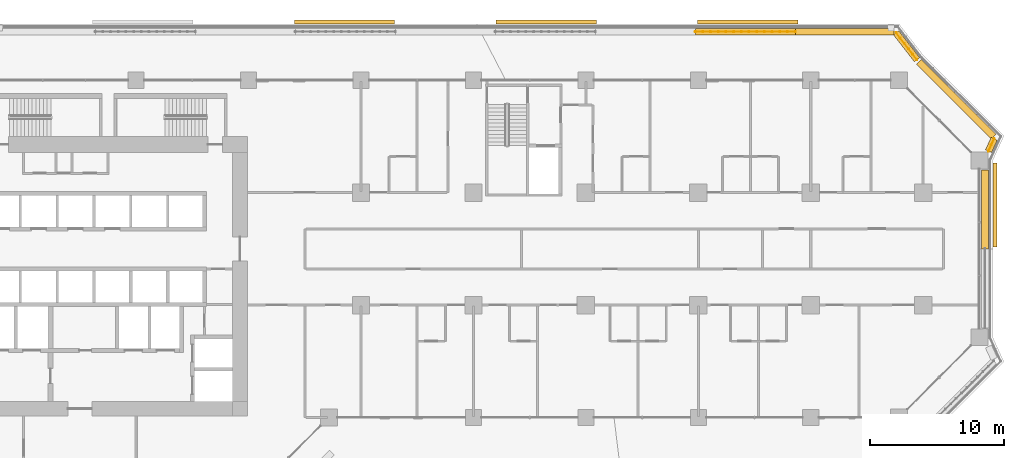
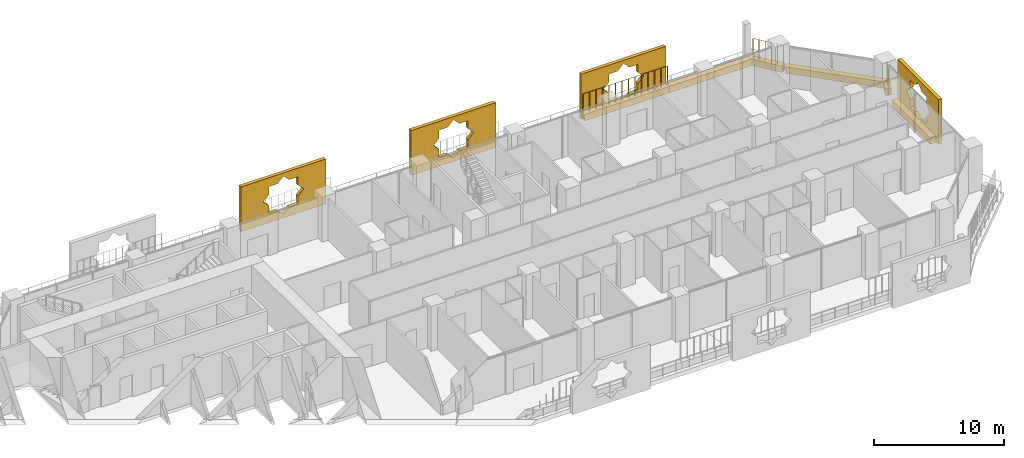
# One storey, part 28 of 28: 10 coverings, 3 railings.
"""IFC4 building model written with IfcOpenShell, lengths in metres."""

from ifc_helpers import new_model, si_unit, direction, frame, origin, origin_2d, place, context, subcontext, project, spatial, polyline, rectangle, circle, outline, extrude, material, material_profile, profile_set, type_object, element, save


model = new_model("IFC4")

# Units and contexts
model_context = context("Model", 3, precision=1e-05, world=origin(), true_north=direction((0.0, 1.0)))
body_context = subcontext(model_context, "Body", "Model", "MODEL_VIEW")
ifc_project = project(units=[si_unit("LENGTHUNIT", "METRE"), si_unit("AREAUNIT", "SQUARE_METRE"), si_unit("VOLUMEUNIT", "CUBIC_METRE"), si_unit("PLANEANGLEUNIT", "RADIAN"), si_unit("MASSUNIT", "GRAM", prefix="KILO")], contexts=[model_context])

# Site, building, storey
site_placement = place(None, origin())
site = spatial("IfcSite", under=ifc_project, at=site_placement, CompositionType="ELEMENT")
building_placement = place(site_placement, origin())
building = spatial("IfcBuilding", under=site, at=building_placement, Name="Kawkab Arch Medical Tower", CompositionType="ELEMENT")
storey_placement = place(building_placement, frame((0.0, 0.0, 77.0)))
storey = spatial("IfcBuildingStorey", under=building, at=storey_placement, Name="L17", CompositionType="ELEMENT", Elevation=77.0)

# Coverings
ifc_material_1 = material(Name="Bronze anodised aluminium mashrabiya panel, eight-point star pattern", Category="aluminium")
ifc_material_profile_1 = material_profile(ifc_material_1, outline(polyline([(-3.14990234375, -2.10009765625), (3.14990234375, -2.10009765625), (3.14990234375, 2.10009765625), (-3.14990234375, 2.10009765625), (-3.14990234375, -2.10009765625)]), holes=[polyline([(1.800048828125, 0.0), (1.272705078125, 0.527099609375), (1.272705078125, 1.272705078125), (0.527099609375, 1.272705078125), (0.0, 1.800048828125), (-0.527099609375, 1.272705078125), (-1.272705078125, 1.272705078125), (-1.272705078125, 0.527099609375), (-1.800048828125, 0.0), (-1.272705078125, -0.527099609375), (-1.272705078125, -1.272705078125), (-0.527099609375, -1.272705078125), (0.0, -1.800048828125), (0.527099609375, -1.272705078125), (1.272705078125, -1.272705078125), (1.272705078125, -0.527099609375), (1.800048828125, 0.0)])]), Name="Mashrabiya panel 6300x4200")
ifc_profile_set_1 = profile_set([ifc_material_profile_1], Name="Bronze anodised aluminium mashrabiya panel, eight-point star pattern")
covering_type_1 = type_object("IfcCoveringType", Name="Mashrabiya panel 6300 x 4200", PredefinedType="USERDEFINED", material=ifc_profile_set_1)
covering_1_placement = place(storey_placement, frame((80.800048828125, -9.31884765625, 1.699951171875), z_axis=(1.0, 0.0, 0.0), x_axis=(0.0, 1.0, 0.0)))
element("IfcCovering", 1, at=covering_1_placement, inside=storey, type_object=covering_type_1, Name="Mashrabiya panel L17.LOG-01-01.10", ObjectType="SCREEN", PredefinedType="USERDEFINED", context=body_context, shape_type="SweptSolid", body=[
    extrude(outline(polyline([(-3.14990234375, -2.10009765625), (3.14990234375, -2.10009765625), (3.14990234375, 2.10009765625), (-3.14990234375, 2.10009765625), (-3.14990234375, -2.10009765625)]), holes=[polyline([(1.800048828125, 0.0), (1.272705078125, 0.527099609375), (1.272705078125, 1.272705078125), (0.527099609375, 1.272705078125), (0.0, 1.800048828125), (-0.527099609375, 1.272705078125), (-1.272705078125, 1.272705078125), (-1.272705078125, 0.527099609375), (-1.800048828125, 0.0), (-1.272705078125, -0.527099609375), (-1.272705078125, -1.272705078125), (-0.527099609375, -1.272705078125), (0.0, -1.800048828125), (0.527099609375, -1.272705078125), (1.272705078125, -1.272705078125), (1.272705078125, -0.527099609375), (1.800048828125, 0.0)])]), origin(), (0.0, 0.0, 1.0), 0.300048828125),
])
ifc_material_2 = material(Name="Bronze anodised aluminium mashrabiya panel, eight-point star pattern", Category="aluminium")
ifc_material_profile_2 = material_profile(ifc_material_2, outline(polyline([(-3.75, -2.10009765625), (3.75, -2.10009765625), (3.75, 2.10009765625), (-3.75, 2.10009765625), (-3.75, -2.10009765625)]), holes=[polyline([(1.800048828125, 0.0), (1.272705078125, 0.527099609375), (1.272705078125, 1.272705078125), (0.527099609375, 1.272705078125), (0.0, 1.800048828125), (-0.527099609375, 1.272705078125), (-1.272705078125, 1.272705078125), (-1.272705078125, 0.527099609375), (-1.800048828125, 0.0), (-1.272705078125, -0.527099609375), (-1.272705078125, -1.272705078125), (-0.527099609375, -1.272705078125), (0.0, -1.800048828125), (0.527099609375, -1.272705078125), (1.272705078125, -1.272705078125), (1.272705078125, -0.527099609375), (1.800048828125, 0.0)])]), Name="Mashrabiya panel 7500x4200")
ifc_profile_set_2 = profile_set([ifc_material_profile_2], Name="Bronze anodised aluminium mashrabiya panel, eight-point star pattern")
covering_type_2 = type_object("IfcCoveringType", Name="Mashrabiya panel 7500 x 4200", PredefinedType="USERDEFINED", material=ifc_profile_set_2)
for number, where, z_axis, x_axis, name in (
    (2, (32.367919921875, 4.199951171875, 1.699951171875), (0.0, 1.0, 0.0), (-1.0, 0.0, 0.0), "Mashrabiya panel L17.LOG-01-01.7"),
    (3, (47.43212890625, 4.199951171875, 1.699951171875), (0.0, 1.0, 0.0), (-1.0, 0.0, 0.0), "Mashrabiya panel L17.LOG-01-01.8"),
    (4, (62.49658203125, 4.199951171875, 1.699951171875), (0.0, 1.0, 0.0), (-1.0, 0.0, 0.0), "Mashrabiya panel L17.LOG-01-01.9"),
):
    element("IfcCovering", number, at=place(storey_placement, frame(where, z_axis=z_axis, x_axis=x_axis)), inside=storey, type_object=covering_type_2, Name=name, ObjectType="SCREEN", PredefinedType="USERDEFINED", context=body_context, shape_type="SweptSolid", body=[
        extrude(outline(polyline([(-3.75, -2.10009765625), (3.75, -2.10009765625), (3.75, 2.10009765625), (-3.75, 2.10009765625), (-3.75, -2.10009765625)]), holes=[polyline([(1.800048828125, 0.0), (1.272705078125, 0.527099609375), (1.272705078125, 1.272705078125), (0.527099609375, 1.272705078125), (0.0, 1.800048828125), (-0.527099609375, 1.272705078125), (-1.272705078125, 1.272705078125), (-1.272705078125, 0.527099609375), (-1.800048828125, 0.0), (-1.272705078125, -0.527099609375), (-1.272705078125, -1.272705078125), (-0.527099609375, -1.272705078125), (0.0, -1.800048828125), (0.527099609375, -1.272705078125), (1.272705078125, -1.272705078125), (1.272705078125, -0.527099609375), (1.800048828125, 0.0)])]), origin(), (0.0, 0.0, 1.0), 0.300048828125),
    ])
ifc_material_3 = material(Name="Planting soil in a precast trough", Category="concrete")
ifc_material_profile_3 = material_profile(ifc_material_3, rectangle(XDim=0.5, YDim=0.60009765625, at=origin_2d()), Name="Trough 500x600")
ifc_profile_set_3 = profile_set([ifc_material_profile_3], Name="Planting soil in a precast trough")
covering_type_3 = type_object("IfcCoveringType", Name="Planter trough 500 x 600", PredefinedType="USERDEFINED", material=ifc_profile_set_3)
covering_2_placement = place(storey_placement, frame((58.575927734375, 3.6201171875, 0.300048828125), z_axis=(1.0, 0.0, 0.0), x_axis=(0.0, 1.0, 0.0)))
element("IfcCovering", 5, at=covering_2_placement, inside=storey, type_object=covering_type_3, Name="Planter L17.LOG-01-01.27", ObjectType="PLANTER", PredefinedType="USERDEFINED", context=body_context, shape_type="SweptSolid", body=[
    extrude(rectangle(XDim=0.5, YDim=0.60009765625, at=origin_2d()), origin(), (0.0, 0.0, 1.0), 7.469970703125),
])
covering_3_placement = place(storey_placement, frame((66.0458984375, 3.6201171875, 0.300048828125), z_axis=(1.0, 0.0, 0.0), x_axis=(0.0, 1.0, 0.0)))
element("IfcCovering", 6, at=covering_3_placement, inside=storey, type_object=covering_type_3, Name="Planter L17.LOG-01-01.28", ObjectType="PLANTER", PredefinedType="USERDEFINED", context=body_context, shape_type="SweptSolid", body=[
    extrude(rectangle(XDim=0.5, YDim=0.60009765625, at=origin_2d()), origin(), (0.0, 0.0, 1.0), 7.3701171875),
])
covering_4_placement = place(storey_placement, frame((73.577880859375, 3.541015625, 0.300048828125), z_axis=(0.614099956103, -0.789228258436, 0.0), x_axis=(0.789228258436, 0.614099956103, 0.0)))
element("IfcCovering", 7, at=covering_4_placement, inside=storey, type_object=covering_type_3, Name="Planter L17.LOG-01-01.29", ObjectType="PLANTER", PredefinedType="USERDEFINED", context=body_context, shape_type="SweptSolid", body=[
    extrude(rectangle(XDim=0.5, YDim=0.60009765625, at=origin_2d()), origin(), (0.0, 0.0, 1.0), 2.545654296875),
])
covering_5_placement = place(storey_placement, frame((75.27294921875, 1.383056640625, 0.300048828125), z_axis=(0.707106781187, -0.707106781187, 0.0), x_axis=(0.707106781187, 0.707106781187, 0.0)))
element("IfcCovering", 8, at=covering_5_placement, inside=storey, type_object=covering_type_3, Name="Planter L17.LOG-01-01.30", ObjectType="PLANTER", PredefinedType="USERDEFINED", context=body_context, shape_type="SweptSolid", body=[
    extrude(rectangle(XDim=0.5, YDim=0.60009765625, at=origin_2d()), origin(), (0.0, 0.0, 1.0), 7.919677734375),
])
covering_6_placement = place(storey_placement, frame((80.902099609375, -4.37890625, 0.300048828125), z_axis=(-0.415071571878, -0.909788761317, 0.0), x_axis=(0.909788761317, -0.415071571878, 0.0)))
element("IfcCovering", 9, at=covering_6_placement, inside=storey, type_object=covering_type_3, Name="Planter L17.LOG-01-01.31", ObjectType="PLANTER", PredefinedType="USERDEFINED", context=body_context, shape_type="SweptSolid", body=[
    extrude(rectangle(XDim=0.5, YDim=0.60009765625, at=origin_2d()), origin(), (0.0, 0.0, 1.0), 1.0146484375),
])
covering_7_placement = place(storey_placement, frame((80.219970703125, -6.705078125, 0.300048828125), z_axis=(0.0, -1.0, 0.0), x_axis=(1.0, 0.0, 0.0)))
element("IfcCovering", 10, at=covering_7_placement, inside=storey, type_object=covering_type_3, Name="Planter L17.LOG-01-01.32", ObjectType="PLANTER", PredefinedType="USERDEFINED", context=body_context, shape_type="SweptSolid", body=[
    extrude(rectangle(XDim=0.5, YDim=0.60009765625, at=origin_2d()), origin(), (0.0, 0.0, 1.0), 5.89501953125),
])

# Railings
ifc_material_4 = material(Name="Bronze anodised aluminium trellis for climbing plants", Category="aluminium")
railing_type = type_object("IfcRailingType", Name="Planting trellis 2400", PredefinedType="USERDEFINED", material=ifc_material_4)
railing_1_placement = place(storey_placement, frame((58.575927734375, 3.6201171875, 0.0)))
element("IfcRailing", 11, at=railing_1_placement, inside=storey, type_object=railing_type, Name="Planting trellis L17.LOG-01-01.27", ObjectType="TRELLIS", PredefinedType="USERDEFINED", context=body_context, shape_type="SweptSolid", body=[
    extrude(circle(Radius=0.01513671875, at=origin_2d()), frame((0.0, 0.0, 2.384765625), z_axis=(1.0, 0.0, 0.0), x_axis=(0.0, 1.0, 0.0)), (0.0, 0.0, 1.0), 7.469970703125),
    extrude(circle(Radius=0.030029296875, at=origin_2d()), origin(), (0.0, 0.0, 1.0), 2.369873046875),
    extrude(circle(Radius=0.030029296875, at=origin_2d()), frame((0.57470703125, 0.0, 0.0)), (0.0, 0.0, 1.0), 2.369873046875),
    extrude(circle(Radius=0.030029296875, at=origin_2d()), frame((1.149169921875, 0.0, 0.0)), (0.0, 0.0, 1.0), 2.369873046875),
    extrude(circle(Radius=0.030029296875, at=origin_2d()), frame((1.723876953125, 0.0, 0.0)), (0.0, 0.0, 1.0), 2.369873046875),
    extrude(circle(Radius=0.030029296875, at=origin_2d()), frame((2.29833984375, 0.0, 0.0)), (0.0, 0.0, 1.0), 2.369873046875),
    extrude(circle(Radius=0.030029296875, at=origin_2d()), frame((2.873046875, 0.0, 0.0)), (0.0, 0.0, 1.0), 2.369873046875),
    extrude(circle(Radius=0.030029296875, at=origin_2d()), frame((3.44775390625, 0.0, 0.0)), (0.0, 0.0, 1.0), 2.369873046875),
    extrude(circle(Radius=0.030029296875, at=origin_2d()), frame((4.022216796875, 0.0, 0.0)), (0.0, 0.0, 1.0), 2.369873046875),
    extrude(circle(Radius=0.030029296875, at=origin_2d()), frame((4.596923828125, 0.0, 0.0)), (0.0, 0.0, 1.0), 2.369873046875),
    extrude(circle(Radius=0.030029296875, at=origin_2d()), frame((5.171630859375, 0.0, 0.0)), (0.0, 0.0, 1.0), 2.369873046875),
    extrude(circle(Radius=0.030029296875, at=origin_2d()), frame((5.74609375, 0.0, 0.0)), (0.0, 0.0, 1.0), 2.369873046875),
    extrude(circle(Radius=0.030029296875, at=origin_2d()), frame((6.32080078125, 0.0, 0.0)), (0.0, 0.0, 1.0), 2.369873046875),
    extrude(circle(Radius=0.030029296875, at=origin_2d()), frame((6.895263671875, 0.0, 0.0)), (0.0, 0.0, 1.0), 2.369873046875),
    extrude(circle(Radius=0.030029296875, at=origin_2d()), frame((7.469970703125, 0.0, 0.0)), (0.0, 0.0, 1.0), 2.369873046875),
])
railing_2_placement = place(storey_placement, frame((73.577880859375, 3.541015625, 0.0)))
element("IfcRailing", 12, at=railing_2_placement, inside=storey, type_object=railing_type, Name="Planting trellis L17.LOG-01-01.29", ObjectType="TRELLIS", PredefinedType="USERDEFINED", context=body_context, shape_type="SweptSolid", body=[
    extrude(circle(Radius=0.01513671875, at=origin_2d()), frame((0.0, 0.0, 2.384765625), z_axis=(0.614099956103, -0.789228258436, 0.0), x_axis=(0.789228258436, 0.614099956103, 0.0)), (0.0, 0.0, 1.0), 2.545654296875),
    extrude(circle(Radius=0.030029296875, at=origin_2d()), origin(), (0.0, 0.0, 1.0), 2.369873046875),
    extrude(circle(Radius=0.030029296875, at=origin_2d()), frame((0.312744140625, -0.40185546875, 0.0)), (0.0, 0.0, 1.0), 2.369873046875),
    extrude(circle(Radius=0.030029296875, at=origin_2d()), frame((0.625244140625, -0.8037109375, 0.0)), (0.0, 0.0, 1.0), 2.369873046875),
    extrude(circle(Radius=0.030029296875, at=origin_2d()), frame((0.93798828125, -1.205322265625, 0.0)), (0.0, 0.0, 1.0), 2.369873046875),
    extrude(circle(Radius=0.030029296875, at=origin_2d()), frame((1.25048828125, -1.607177734375, 0.0)), (0.0, 0.0, 1.0), 2.369873046875),
    extrude(circle(Radius=0.030029296875, at=origin_2d()), frame((1.563232421875, -2.009033203125, 0.0)), (0.0, 0.0, 1.0), 2.369873046875),
])
railing_3_placement = place(storey_placement, frame((80.902099609375, -4.37890625, 0.0)))
element("IfcRailing", 13, at=railing_3_placement, inside=storey, type_object=railing_type, Name="Planting trellis L17.LOG-01-01.31", ObjectType="TRELLIS", PredefinedType="USERDEFINED", context=body_context, shape_type="SweptSolid", body=[
    extrude(circle(Radius=0.01513671875, at=origin_2d()), frame((0.0, 0.0, 2.384765625), z_axis=(-0.415071571878, -0.909788761317, 0.0), x_axis=(0.909788761317, -0.415071571878, 0.0)), (0.0, 0.0, 1.0), 1.0146484375),
    extrude(circle(Radius=0.030029296875, at=origin_2d()), origin(), (0.0, 0.0, 1.0), 2.369873046875),
    extrude(circle(Radius=0.030029296875, at=origin_2d()), frame((-0.21044921875, -0.46142578125, 0.0)), (0.0, 0.0, 1.0), 2.369873046875),
    extrude(circle(Radius=0.030029296875, at=origin_2d()), frame((-0.421142578125, -0.923095703125, 0.0)), (0.0, 0.0, 1.0), 2.369873046875),
])

save(model, "model.ifc")
